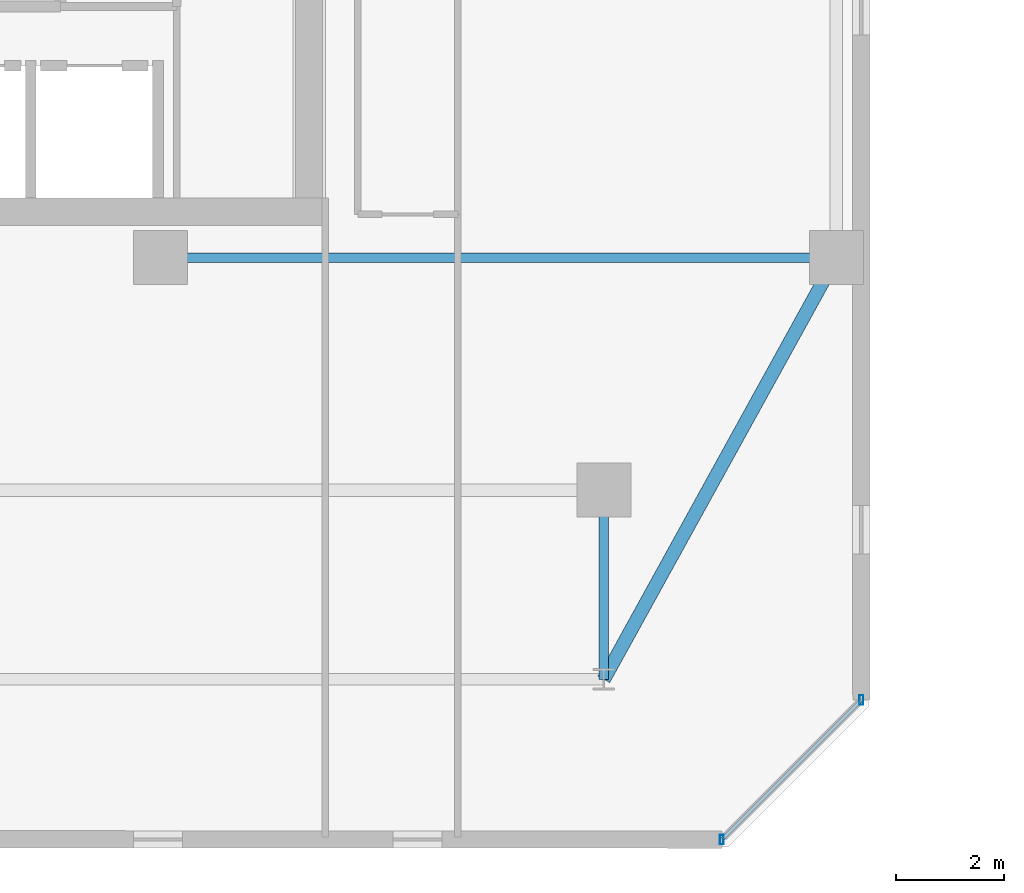
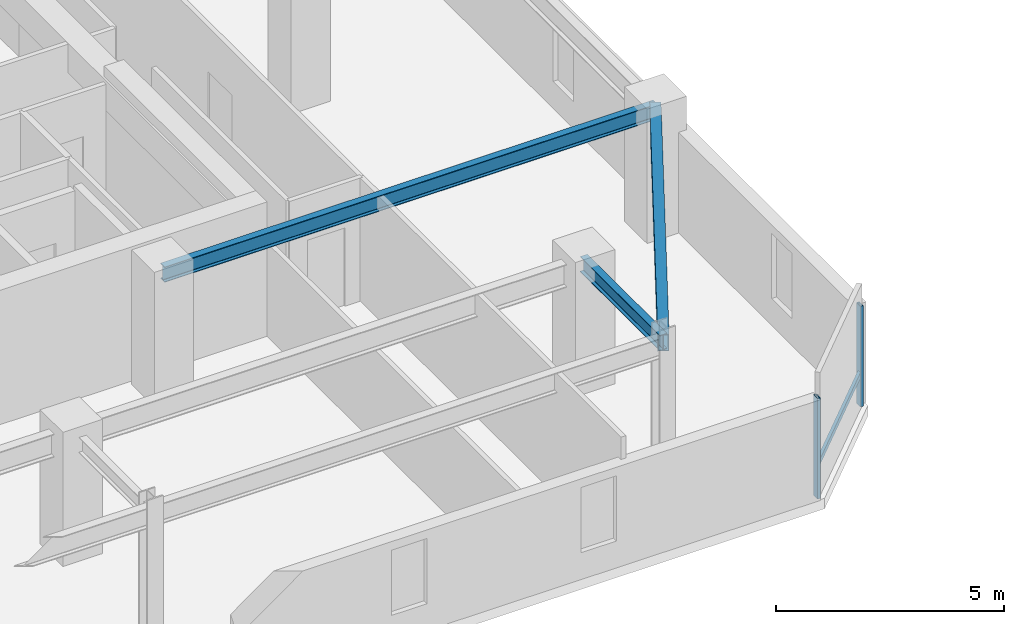
# One storey, part 5 of 29: 3 beams, 3 members, 1 element without a shape of its own.
"""IFC4 building model written with IfcOpenShell, lengths in metres."""

from ifc_helpers import new_model, si_unit, direction, frame, origin, origin_2d, place, context, subcontext, project, spatial, hollow_rectangle, i_section, extrude, material, material_profile, profile_set, type_object, element, aggregate, save


model = new_model("IFC4")

# Units and contexts
model_context = context("Model", 3, precision=1e-05, world=origin(), true_north=direction((0.0, 1.0)))
body_context = subcontext(model_context, "Body", "Model", "MODEL_VIEW")
ifc_project = project(units=[si_unit("LENGTHUNIT", "METRE"), si_unit("AREAUNIT", "SQUARE_METRE"), si_unit("VOLUMEUNIT", "CUBIC_METRE"), si_unit("PLANEANGLEUNIT", "RADIAN"), si_unit("MASSUNIT", "GRAM", prefix="KILO")], contexts=[model_context])

# Site, building, storey
site_placement = place(None, origin())
site = spatial("IfcSite", under=ifc_project, at=site_placement, CompositionType="ELEMENT")
building_placement = place(site_placement, origin())
building = spatial("IfcBuilding", under=site, at=building_placement, Name="Thornwick Lancets Civic Towers", CompositionType="ELEMENT")
storey_placement = place(building_placement, frame((0.0, 0.0, 229.5)))
storey = spatial("IfcBuildingStorey", under=building, at=storey_placement, Name="L61", CompositionType="ELEMENT", Elevation=229.5)

# Beams
ifc_material_1 = material(Name="Steel S355JR", Category="steel")
ifc_material_profile_1 = material_profile(ifc_material_1, i_section(OverallWidth=0.179443359375, OverallDepth=0.412841796875, WebThickness=0.009521484375, FlangeThickness=0.01611328125, FilletRadius=0.01025390625, at=origin_2d()), Name="UKB 406x178x74")
ifc_profile_set_1 = profile_set([ifc_material_profile_1], Name="Steel S355JR")
beam_type_1 = type_object("IfcBeamType", Name="BM_JOIST_406_74", PredefinedType="JOIST", material=ifc_profile_set_1)
beam_1_placement = place(storey_placement, frame((38.5, 9.699951171875, 3.113525390625), z_axis=(0.0, -1.0, 0.0), x_axis=(1.0, 0.0, 0.0)))
element("IfcBeam", 1, at=beam_1_placement, inside=storey, type_object=beam_type_1, Name="BM-RAD-L61-A03", PredefinedType="JOIST", context=body_context, shape_type="SweptSolid", body=[
    extrude(i_section(OverallWidth=0.179443359375, OverallDepth=0.412841796875, WebThickness=0.009521484375, FlangeThickness=0.01611328125, FilletRadius=0.01025390625, at=origin_2d()), origin(), (0.0, 0.0, 1.0), 3.5),
])
beam_2_placement = place(storey_placement, frame((30.300048828125, 14.0, 3.113525390625), z_axis=(1.0, 0.0, 0.0), x_axis=(0.0, 1.0, 0.0)))
element("IfcBeam", 2, at=beam_2_placement, inside=storey, type_object=beam_type_1, Name="BM-RADIN-L61-A04", PredefinedType="JOIST", context=body_context, shape_type="SweptSolid", body=[
    extrude(i_section(OverallWidth=0.179443359375, OverallDepth=0.412841796875, WebThickness=0.009521484375, FlangeThickness=0.01611328125, FilletRadius=0.01025390625, at=origin_2d()), origin(), (0.0, 0.0, 1.0), 12.5),
])
ifc_material_profile_2 = material_profile(ifc_material_1, hollow_rectangle(XDim=0.25, YDim=0.449951171875, WallThickness=0.01611328125, at=origin_2d()), Name="RHS 450x250x16")
ifc_profile_set_2 = profile_set([ifc_material_profile_2], Name="Steel S355JR")
beam_type_2 = type_object("IfcBeamType", Name="BM_RING_RHS450", PredefinedType="BEAM", material=ifc_profile_set_2)
beam_3_placement = place(storey_placement, frame((38.5, 6.199951171875, 3.094970703125), z_axis=(0.482782395749, 0.875740348708, 0.0), x_axis=(-0.875740348708, 0.482782395749, 0.0)))
element("IfcBeam", 3, at=beam_3_placement, inside=storey, type_object=beam_type_2, Name="BM-CHAMF-L61-A-C0", PredefinedType="BEAM", context=body_context, shape_type="SweptSolid", body=[
    extrude(hollow_rectangle(XDim=0.25, YDim=0.449951171875, WallThickness=0.01611328125, at=origin_2d()), origin(), (0.0, 0.0, 1.0), 8.90673828125),
])

# Curtain wall, members
ifc_material_2 = material(Name="High-zone chamfered-corner unitised glass curtain wall", Category="glass")
curtain_wall_type = type_object("IfcCurtainWallType", Name="CW_SYS_05", PredefinedType="NOTDEFINED", material=ifc_material_2)
curtain_wall_placement = place(storey_placement, origin())
curtain_wall = element("IfcCurtainWall", 4, at=curtain_wall_placement, inside=storey, type_object=curtain_wall_type, Name="L61 Curtain Wall CW-L61-A-E1", PredefinedType="NOTDEFINED")
ifc_material_3 = material(Name="Thermally broken bronze aluminium S355", Category="steel")
ifc_material_profile_3 = material_profile(ifc_material_3, hollow_rectangle(XDim=0.074951171875, YDim=0.179931640625, WallThickness=0.006103515625, at=origin_2d()), Name="RHS 180x75x6")
ifc_profile_set_3 = profile_set([ifc_material_profile_3], Name="Thermally broken bronze aluminium S355")
member_type_1 = type_object("IfcMemberType", Name="CW_MUL_180", PredefinedType="MULLION", material=ifc_profile_set_3)
member_1_placement = place(storey_placement, frame((40.681396484375, 3.2353515625, 0.0), z_axis=(0.0, 0.0, 1.0), x_axis=(1.0, 0.0, 0.0)))
member_1 = element("IfcMember", 5, at=member_1_placement, type_object=member_type_1, Name="CW-L61-A-E1 Mullion 0", PredefinedType="MULLION", context=body_context, shape_type="SweptSolid", body=[
    extrude(hollow_rectangle(XDim=0.074951171875, YDim=0.179931640625, WallThickness=0.006103515625, at=origin_2d()), origin(), (0.0, 0.0, 1.0), 2.699951171875),
])
member_2_placement = place(storey_placement, frame((43.2646484375, 5.818603515625, 0.0), z_axis=(0.0, 0.0, 1.0), x_axis=(1.0, 0.0, 0.0)))
member_2 = element("IfcMember", 6, at=member_2_placement, type_object=member_type_1, Name="CW-L61-A-E1 Mullion 1", PredefinedType="MULLION", context=body_context, shape_type="SweptSolid", body=[
    extrude(hollow_rectangle(XDim=0.074951171875, YDim=0.179931640625, WallThickness=0.006103515625, at=origin_2d()), origin(), (0.0, 0.0, 1.0), 2.699951171875),
])
ifc_material_profile_4 = material_profile(ifc_material_3, hollow_rectangle(XDim=0.074951171875, YDim=0.14990234375, WallThickness=0.0048828125, at=origin_2d()), Name="RHS 150x75x5")
ifc_profile_set_4 = profile_set([ifc_material_profile_4], Name="Thermally broken bronze aluminium S355")
member_type_2 = type_object("IfcMemberType", Name="CW_TRN_150", PredefinedType="USERDEFINED", material=ifc_profile_set_4)
member_3_placement = place(storey_placement, frame((40.695556640625, 3.24951171875, 0.85009765625), z_axis=(0.707106781187, 0.707106781187, 0.0), x_axis=(-0.707106781187, 0.707106781187, 0.0)))
member_3 = element("IfcMember", 7, at=member_3_placement, type_object=member_type_2, Name="CW-L61-A-E1 Transom 0", ObjectType="TRANSOM", PredefinedType="USERDEFINED", context=body_context, shape_type="SweptSolid", body=[
    extrude(hollow_rectangle(XDim=0.074951171875, YDim=0.14990234375, WallThickness=0.0048828125, at=origin_2d()), origin(), (0.0, 0.0, 1.0), 3.61328125),
])
aggregate(curtain_wall, [member_1, member_2, member_3])

save(model, "model.ifc")
